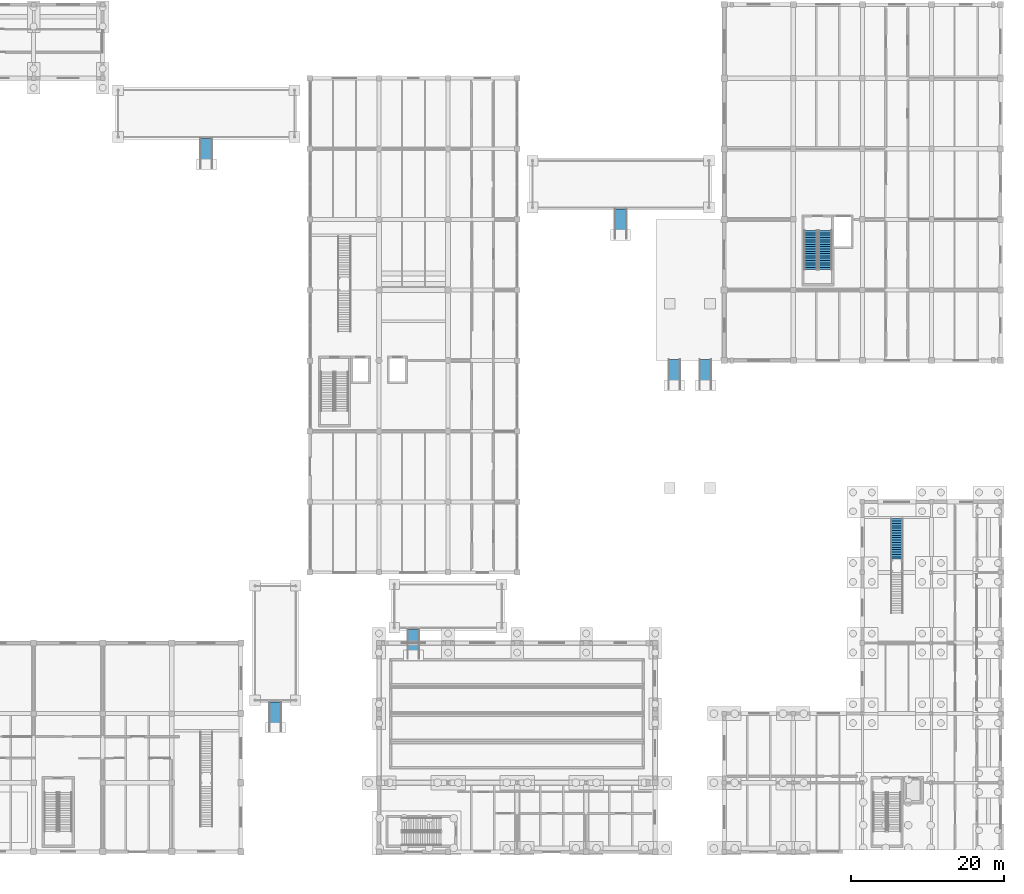
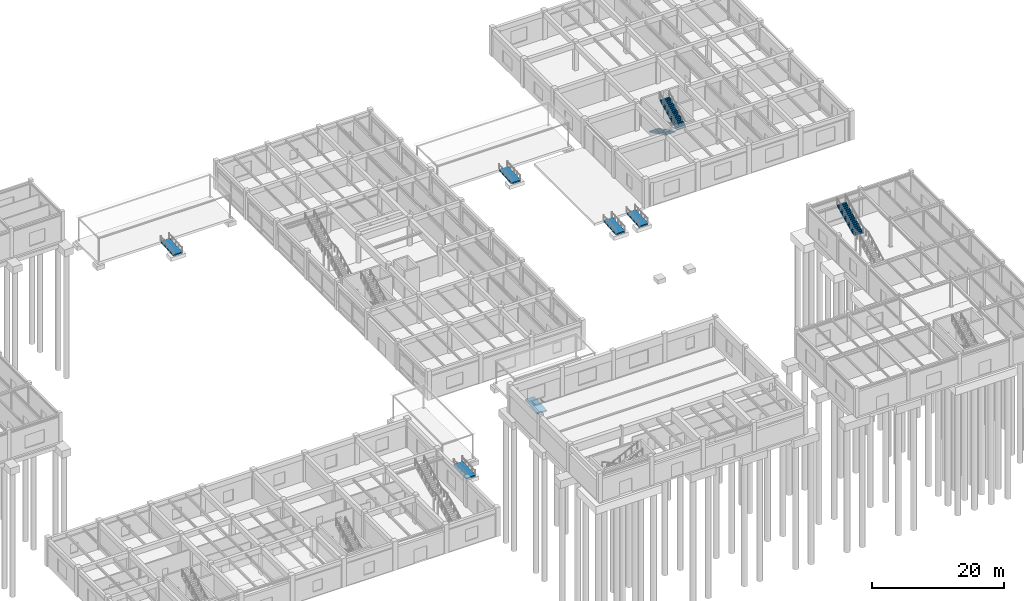
# One storey, part 66 of 76: 6 ramp flights, 3 stair flights, 8 elements without a shape of their own.
"""IFC4 building model written with IfcOpenShell, lengths in metres."""

import ifcopenshell
import ifcopenshell.guid

model = None  # the IFC model being written
_history = None  # IfcOwnerHistory: only IFC2X3 demands one
_inside = {}  # id of a spatial element -> (the spatial element, [elements in it])
_under = {}  # id of a project, library or spatial element -> (it, [spatial elements below it])
_declared = {}  # id of a project -> (the project, [libraries it declares])
_typed = {}  # id of a type object -> (the type object, [elements of that type])
_made_of = {}  # id of a material, layer set ... -> (it, [elements and type objects made of it])


def new_model(schema):
    """Start an empty IFC model of exactly this schema.

    Asked for "IFC4X3", IfcOpenShell would pick the latest addendum, in which some entities
    have other attributes; the version numbers below select the first issue.
    IFC2X3 requires an IfcOwnerHistory on every rooted entity: one is made here for all.
    """
    global model, _history
    if schema == "IFC4X3":
        model = ifcopenshell.file(schema_version=(4, 3, 0, 0))
    else:
        model = ifcopenshell.file(schema=schema)
    _inside.clear()
    _under.clear()
    _declared.clear()
    _typed.clear()
    _made_of.clear()
    _history = None
    if model.schema == "IFC2X3":
        org = make("IfcOrganization", Name="unknown")
        user = make(
            "IfcPersonAndOrganization",
            ThePerson=make("IfcPerson", FamilyName="unknown"),
            TheOrganization=org,
        )
        app = make(
            "IfcApplication",
            ApplicationDeveloper=org,
            Version="unknown",
            ApplicationFullName="unknown",
            ApplicationIdentifier="unknown",
        )
        _history = make(
            "IfcOwnerHistory",
            OwningUser=user,
            OwningApplication=app,
            ChangeAction="ADDED",
            CreationDate=0,
        )
    return model


def make(cls, **values):
    """One entity of the class cls with the attributes given. An attribute that is None is left unset."""
    return model.create_entity(
        cls, **{name: value for name, value in values.items() if value is not None}
    )


def rooted(cls, **values):
    """An entity with a GlobalId (a new one), such as an element, a storey or a relation."""
    return make(cls, GlobalId=ifcopenshell.guid.new(), OwnerHistory=_history, **values)


def si_unit(unit_type, name, prefix=None):
    """IfcSIUnit, for example si_unit("LENGTHUNIT", "METRE", prefix="MILLI")."""
    return make("IfcSIUnit", UnitType=unit_type, Prefix=prefix, Name=name)


def assignment(units):
    """IfcUnitAssignment: the units of a project."""
    return None if units is None else make("IfcUnitAssignment", Units=units)


def point(xyz):
    """IfcCartesianPoint."""
    return None if xyz is None else make("IfcCartesianPoint", Coordinates=xyz)


def direction(xyz):
    """IfcDirection."""
    return None if xyz is None else make("IfcDirection", DirectionRatios=xyz)


def frame(location, z_axis=None, x_axis=None):
    """IfcAxis2Placement3D, a coordinate frame: its origin and axes. An axis left out is left unset."""
    return make(
        "IfcAxis2Placement3D",
        Location=point(location),
        Axis=direction(z_axis),
        RefDirection=direction(x_axis),
    )


def origin():
    """The frame at (0, 0, 0) with its axes left unset."""
    return frame((0.0, 0.0, 0.0))


def place(relative_to, where):
    """IfcLocalPlacement: puts the frame where relative to a parent placement (None: the world)."""
    return make(
        "IfcLocalPlacement", PlacementRelTo=relative_to, RelativePlacement=where
    )


def context(
    kind, dimensions, precision=None, world=None, true_north=None, identifier=None
):
    """IfcGeometricRepresentationContext, for example the 3D "Model" context."""
    return make(
        "IfcGeometricRepresentationContext",
        ContextIdentifier=identifier,
        ContextType=kind,
        CoordinateSpaceDimension=dimensions,
        Precision=precision,
        WorldCoordinateSystem=world,
        TrueNorth=true_north,
    )


def subcontext(parent, identifier, kind, view, scale=None):
    """IfcGeometricRepresentationSubContext, for example "Body" below "Model"."""
    return make(
        "IfcGeometricRepresentationSubContext",
        ContextIdentifier=identifier,
        ContextType=kind,
        ParentContext=parent,
        TargetScale=scale,
        TargetView=view,
    )


def project(units=None, contexts=None):
    """IfcProject with its units and contexts."""
    return rooted(
        "IfcProject",
        Name="project",
        RepresentationContexts=contexts,
        UnitsInContext=assignment(units),
    )


def spatial(cls, under=None, at=None, **own):
    """A site, building, storey or space (cls), placed at a placement, below another one or the project."""
    s = rooted(cls, ObjectPlacement=at, **own)
    if under is not None:
        _under.setdefault(under.id(), (under, []))[1].append(s)
    return s


def polyline(points):
    """IfcPolyline through the points."""
    return make("IfcPolyline", Points=[point(p) for p in points])


def outline(outer, holes=None, kind="AREA"):
    """IfcArbitraryClosedProfileDef: a profile drawn as a closed curve; with holes, ...WithVoids."""
    if holes is None:
        return make("IfcArbitraryClosedProfileDef", ProfileType=kind, OuterCurve=outer)
    return make(
        "IfcArbitraryProfileDefWithVoids",
        ProfileType=kind,
        OuterCurve=outer,
        InnerCurves=holes,
    )


def extrude(swept, where, along, depth):
    """IfcExtrudedAreaSolid: the profile swept, set in the frame where, extruded along a direction by depth."""
    return make(
        "IfcExtrudedAreaSolid",
        SweptArea=swept,
        Position=where,
        ExtrudedDirection=direction(along),
        Depth=depth,
    )


def shape(context_of_items, identifier, shape_type, items):
    """IfcShapeRepresentation: the items that make up one representation, for example the "Body"."""
    return make(
        "IfcShapeRepresentation",
        ContextOfItems=context_of_items,
        RepresentationIdentifier=identifier,
        RepresentationType=shape_type,
        Items=items,
    )


def material(Name=None, Category=None):
    """IfcMaterial."""
    return make("IfcMaterial", Name=Name, Category=Category)


def layer(
    of_material, thickness, ventilated=None, Name=None, Category=None, Priority=None
):
    """IfcMaterialLayer: one layer of a wall or slab, of a material (None: an air gap)."""
    return make(
        "IfcMaterialLayer",
        Material=of_material,
        LayerThickness=thickness,
        IsVentilated=ventilated,
        Name=Name,
        Category=Category,
        Priority=Priority,
    )


def layer_set(layers, Name=None):
    """IfcMaterialLayerSet."""
    return make("IfcMaterialLayerSet", MaterialLayers=layers, LayerSetName=Name)


def made_of(thing, what):
    """Note that an element or type object is made of a material, layer set ...; save() writes the relation."""
    if what is not None:
        _made_of.setdefault(what.id(), (what, []))[1].append(thing)
    return thing


def type_object(cls, material=None, **own):
    """A type object (cls), such as IfcWallType, which elements share."""
    return made_of(rooted(cls, **own), material)


def element(
    cls,
    number,
    at=None,
    inside=None,
    cuts=None,
    type_object=None,
    material=None,
    context=None,
    identifier="Body",
    shape_type=None,
    held_by="IfcProductDefinitionShape",
    body=None,
    shapes=None,
    **own,
):
    """One element of the class cls, such as IfcWall. Its Tag is "e" and its number.

    at: its placement. inside: the storey or other place that contains it. cuts: it is an
    opening in that element (IfcRelVoidsElement). A single representation is given by context,
    identifier, shape_type and body (its items); several are given by shapes. held_by: the class
    of the entity that holds the representations. save() writes the other relations.
    """
    e = rooted(cls, Tag="e%d" % number, ObjectPlacement=at, **own)
    if body is not None:
        shapes = [shape(context, identifier, shape_type, body)]
    if shapes is not None:
        e.Representation = make(held_by, Representations=shapes)
    if inside is not None:
        _inside.setdefault(inside.id(), (inside, []))[1].append(e)
    if cuts is not None:
        rooted(
            "IfcRelVoidsElement", RelatingBuildingElement=cuts, RelatedOpeningElement=e
        )
    if type_object is not None:
        _typed.setdefault(type_object.id(), (type_object, []))[1].append(e)
    return made_of(e, material)


def aggregate(whole, parts):
    """IfcRelAggregates: a whole, such as a stair, and the parts it consists of."""
    return rooted("IfcRelAggregates", RelatingObject=whole, RelatedObjects=parts)


def save(model, path):
    """Write the relations noted so far, then the file.

    IfcRelAggregates (storeys below a building ...), IfcRelContainedInSpatialStructure (elements
    in a storey), IfcRelDefinesByType, IfcRelAssociatesMaterial and IfcRelDeclares: one each for
    every whole, place, type object, material and project.
    """
    for whole, parts in _under.values():
        aggregate(whole, parts)
    for where, things in _inside.values():
        rooted(
            "IfcRelContainedInSpatialStructure",
            RelatedElements=things,
            RelatingStructure=where,
        )
    for kind, things in _typed.values():
        rooted("IfcRelDefinesByType", RelatedObjects=things, RelatingType=kind)
    for what, things in _made_of.values():
        rooted("IfcRelAssociatesMaterial", RelatedObjects=things, RelatingMaterial=what)
    for by, libraries in _declared.values():
        rooted("IfcRelDeclares", RelatingContext=by, RelatedDefinitions=libraries)
    model.write(path)


model = new_model("IFC4")

# Units and contexts
model_context = context("Model", 3, precision=1e-05, world=origin(), true_north=direction((0.0, 1.0)))
body_context = subcontext(model_context, "Body", "Model", "MODEL_VIEW")
ifc_project = project(units=[si_unit("LENGTHUNIT", "METRE"), si_unit("AREAUNIT", "SQUARE_METRE"), si_unit("VOLUMEUNIT", "CUBIC_METRE"), si_unit("PLANEANGLEUNIT", "RADIAN"), si_unit("MASSUNIT", "GRAM", prefix="KILO")], contexts=[model_context])

# Site, building, storey
site_placement = place(None, origin())
site = spatial("IfcSite", under=ifc_project, at=site_placement, CompositionType="ELEMENT")
building_placement = place(site_placement, origin())
building = spatial("IfcBuilding", under=site, at=building_placement, Name="Bozkorgan Art Gallery", CompositionType="ELEMENT")
storey_placement = place(building_placement, origin())
storey = spatial("IfcBuildingStorey", under=building, at=storey_placement, Name="L00", CompositionType="ELEMENT", Elevation=0.0)

# Stair, stair flight
ifc_material_1 = material(Name="Steel S355J2", Category="steel")
stair_type_1 = type_object("IfcStairType", Name="FSTAIR-ST11", PredefinedType="STRAIGHT_RUN_STAIR", material=ifc_material_1)
stair_1_placement = place(storey_placement, origin())
stair_1 = element("IfcStair", 1, at=stair_1_placement, inside=storey, type_object=stair_type_1, Name="ST11 Feature Stair (L00 to L01)", PredefinedType="STRAIGHT_RUN_STAIR")
stair_flight_type_1 = type_object("IfcStairFlightType", Name="FSFLT-ST11", PredefinedType="STRAIGHT", material=ifc_material_1)
stair_flight_1_placement = place(storey_placement, frame((150.5, 40.1298828125, 2.699951171875), z_axis=(0.0, 0.0, 1.0), x_axis=(0.0, 1.0, 0.0)))
stair_flight_1 = element("IfcStairFlight", 2, at=stair_flight_1_placement, type_object=stair_flight_type_1, Name="ST11 upper monumental stair flight", NumberOfRisers=18, NumberOfTreads=17, PredefinedType="STRAIGHT", RiserHeight=0.15, TreadLength=0.31, context=body_context, shape_type="SweptSolid", body=[
    extrude(outline(polyline([(0.0, 0.0), (0.0, 0.14990234375), (0.31005859375, 0.14990234375), (0.31005859375, 0.300048828125), (0.6201171875, 0.300048828125), (0.6201171875, 0.449951171875), (0.929931640625, 0.449951171875), (0.929931640625, 0.60009765625), (1.239990234375, 0.60009765625), (1.239990234375, 0.75), (1.550048828125, 0.75), (1.550048828125, 0.89990234375), (1.860107421875, 0.89990234375), (1.860107421875, 1.050048828125), (2.169921875, 1.050048828125), (2.169921875, 1.199951171875), (2.47998046875, 1.199951171875), (2.47998046875, 1.35009765625), (2.7900390625, 1.35009765625), (2.7900390625, 1.5), (3.10009765625, 1.5), (3.10009765625, 1.64990234375), (3.409912109375, 1.64990234375), (3.409912109375, 1.800048828125), (3.719970703125, 1.800048828125), (3.719970703125, 1.949951171875), (4.030029296875, 1.949951171875), (4.030029296875, 2.10009765625), (4.340087890625, 2.10009765625), (4.340087890625, 2.25), (4.64990234375, 2.25), (4.64990234375, 2.39990234375), (4.9599609375, 2.39990234375), (4.9599609375, 2.550048828125), (5.27001953125, 2.550048828125), (5.27001953125, 2.699951171875), (5.27001953125, 2.3056640625), (0.505126953125, 0.0), (0.0, 0.0)])), frame((0.0, 0.7900390625, 0.0), z_axis=(0.0, -1.0, 0.0), x_axis=(1.0, 0.0, 0.0)), (0.0, 0.0, 1.0), 1.580078125),
])
aggregate(stair_1, [stair_flight_1])

# Stair, stair flights
ifc_material_2 = material(Name="Concrete C35/45", Category="concrete")
stair_type_2 = type_object("IfcStairType", Name="STAIR-CORE3", PredefinedType="HALF_TURN_STAIR", material=ifc_material_2)
stair_2_placement = place(storey_placement, origin())
stair_2 = element("IfcStair", 3, at=stair_2_placement, inside=storey, type_object=stair_type_2, Name="L00 ST3 Core Stair", PredefinedType="HALF_TURN_STAIR")
stair_flight_type_2 = type_object("IfcStairFlightType", Name="SFLT-CORE3", PredefinedType="STRAIGHT", material=ifc_material_2)
stair_flight_2_placement = place(storey_placement, frame((139.25, 82.949951171875, 0.0), z_axis=(0.0, 0.0, 1.0), x_axis=(0.0, -1.0, 0.0)))
stair_flight_2 = element("IfcStairFlight", 4, at=stair_flight_2_placement, type_object=stair_flight_type_2, Name="ST3 flight 1", NumberOfRisers=18, NumberOfTreads=17, PredefinedType="STRAIGHT", RiserHeight=0.15, TreadLength=0.3, context=body_context, shape_type="SweptSolid", body=[
    extrude(outline(polyline([(0.0, 0.0), (0.0, 0.14990234375), (0.300048828125, 0.14990234375), (0.300048828125, 0.300048828125), (0.60009765625, 0.300048828125), (0.60009765625, 0.449951171875), (0.89990234375, 0.449951171875), (0.89990234375, 0.60009765625), (1.199951171875, 0.60009765625), (1.199951171875, 0.75), (1.5, 0.75), (1.5, 0.89990234375), (1.800048828125, 0.89990234375), (1.800048828125, 1.050048828125), (2.10009765625, 1.050048828125), (2.10009765625, 1.199951171875), (2.39990234375, 1.199951171875), (2.39990234375, 1.35009765625), (2.699951171875, 1.35009765625), (2.699951171875, 1.5), (3.0, 1.5), (3.0, 1.64990234375), (3.300048828125, 1.64990234375), (3.300048828125, 1.800048828125), (3.60009765625, 1.800048828125), (3.60009765625, 1.949951171875), (3.89990234375, 1.949951171875), (3.89990234375, 2.10009765625), (4.199951171875, 2.10009765625), (4.199951171875, 2.25), (4.5, 2.25), (4.5, 2.39990234375), (4.800048828125, 2.39990234375), (4.800048828125, 2.550048828125), (5.10009765625, 2.550048828125), (5.10009765625, 2.699951171875), (5.10009765625, 2.38232421875), (0.335205078125, 0.0), (0.0, 0.0)])), frame((0.0, 0.85009765625, 0.0), z_axis=(0.0, -1.0, 0.0), x_axis=(1.0, 0.0, 0.0)), (0.0, 0.0, 1.0), 1.699951171875),
])
stair_flight_3_placement = place(storey_placement, frame((141.14990234375, 77.85009765625, 2.699951171875), z_axis=(0.0, 0.0, 1.0), x_axis=(0.0, 1.0, 0.0)))
stair_flight_3 = element("IfcStairFlight", 5, at=stair_flight_3_placement, type_object=stair_flight_type_2, Name="ST3 flight 2", NumberOfRisers=18, NumberOfTreads=17, PredefinedType="STRAIGHT", RiserHeight=0.15, TreadLength=0.3, context=body_context, shape_type="SweptSolid", body=[
    extrude(outline(polyline([(0.0, 0.0), (0.0, 0.14990234375), (0.300048828125, 0.14990234375), (0.300048828125, 0.300048828125), (0.60009765625, 0.300048828125), (0.60009765625, 0.449951171875), (0.89990234375, 0.449951171875), (0.89990234375, 0.60009765625), (1.199951171875, 0.60009765625), (1.199951171875, 0.75), (1.5, 0.75), (1.5, 0.89990234375), (1.800048828125, 0.89990234375), (1.800048828125, 1.050048828125), (2.10009765625, 1.050048828125), (2.10009765625, 1.199951171875), (2.39990234375, 1.199951171875), (2.39990234375, 1.35009765625), (2.699951171875, 1.35009765625), (2.699951171875, 1.5), (3.0, 1.5), (3.0, 1.64990234375), (3.300048828125, 1.64990234375), (3.300048828125, 1.800048828125), (3.60009765625, 1.800048828125), (3.60009765625, 1.949951171875), (3.89990234375, 1.949951171875), (3.89990234375, 2.10009765625), (4.199951171875, 2.10009765625), (4.199951171875, 2.25), (4.5, 2.25), (4.5, 2.39990234375), (4.800048828125, 2.39990234375), (4.800048828125, 2.550048828125), (5.10009765625, 2.550048828125), (5.10009765625, 2.699951171875), (5.10009765625, 2.38232421875), (0.335205078125, 0.0), (0.0, 0.0)])), frame((0.0, 0.85009765625, 0.0), z_axis=(0.0, -1.0, 0.0), x_axis=(1.0, 0.0, 0.0)), (0.0, 0.0, 1.0), 1.699951171875),
])
aggregate(stair_2, [stair_flight_2, stair_flight_3])

# Ramp, ramp flight
ifc_material_3 = material(Name="Concrete C40/50", Category="concrete")
ramp_type = type_object("IfcRampType", Name="RAMP-ACC-01", PredefinedType="STRAIGHT_RUN_RAMP", material=ifc_material_3)
ramp_1_placement = place(storey_placement, origin())
ramp_1 = element("IfcRamp", 6, at=ramp_1_placement, inside=storey, type_object=ramp_type, Name="West Water-Court Walk Accessible Ramp", PredefinedType="STRAIGHT_RUN_RAMP")
ifc_layer = layer(ifc_material_3, 0.25, Name="Concrete C40/50")
ifc_layer_set = layer_set([ifc_layer], Name="Concrete C40/50")
ramp_flight_type = type_object("IfcRampFlightType", Name="RFLT-ACC-01", PredefinedType="STRAIGHT", material=ifc_layer_set)
ramp_flight_1_placement = place(storey_placement, frame((69.5, 17.699951171875, -0.239990234375), z_axis=(0.0, 0.0, 1.0), x_axis=(0.0, 1.0, 0.0)))
ramp_flight_1 = element("IfcRampFlight", 7, at=ramp_flight_1_placement, type_object=ramp_flight_type, Name="West Water-Court Walk Accessible Ramp flight", PredefinedType="STRAIGHT", context=body_context, shape_type="SweptSolid", body=[
    extrude(outline(polyline([(0.0, 0.0), (3.840087890625, 0.239990234375), (3.840087890625, -0.010009765625), (0.0, -0.25), (0.0, 0.0)])), frame((0.0, 0.800048828125, 0.0), z_axis=(0.0, -1.0, 0.0), x_axis=(1.0, 0.0, 0.0)), (0.0, 0.0, 1.0), 1.60009765625),
])
aggregate(ramp_1, [ramp_flight_1])

ramp_2_placement = place(storey_placement, origin())
ramp_2 = element("IfcRamp", 8, at=ramp_2_placement, inside=storey, type_object=ramp_type, Name="North Sculpture Walk Accessible Ramp", PredefinedType="STRAIGHT_RUN_RAMP")
ramp_flight_2_placement = place(storey_placement, frame((60.5, 91.10009765625, -0.239990234375), z_axis=(0.0, 0.0, 1.0), x_axis=(0.0, 1.0, 0.0)))
ramp_flight_2 = element("IfcRampFlight", 9, at=ramp_flight_2_placement, type_object=ramp_flight_type, Name="North Sculpture Walk Accessible Ramp flight", PredefinedType="STRAIGHT", context=body_context, shape_type="SweptSolid", body=[
    extrude(outline(polyline([(0.0, 0.0), (3.840087890625, 0.239990234375), (3.840087890625, -0.010009765625), (0.0, -0.25), (0.0, 0.0)])), frame((0.0, 0.800048828125, 0.0), z_axis=(0.0, -1.0, 0.0), x_axis=(1.0, 0.0, 0.0)), (0.0, 0.0, 1.0), 1.60009765625),
])
aggregate(ramp_2, [ramp_flight_2])

ramp_3_placement = place(storey_placement, origin())
ramp_3 = element("IfcRamp", 10, at=ramp_3_placement, inside=storey, type_object=ramp_type, Name="Auditorium Walk Accessible Ramp", PredefinedType="STRAIGHT_RUN_RAMP")
ramp_flight_3_placement = place(storey_placement, frame((87.5, 27.14990234375, -0.239990234375), z_axis=(0.0, 0.0, 1.0), x_axis=(0.0, 1.0, 0.0)))
ramp_flight_3 = element("IfcRampFlight", 11, at=ramp_flight_3_placement, type_object=ramp_flight_type, Name="Auditorium Walk Accessible Ramp flight", PredefinedType="STRAIGHT", context=body_context, shape_type="SweptSolid", body=[
    extrude(outline(polyline([(0.0, 0.0), (3.840087890625, 0.239990234375), (3.840087890625, -0.010009765625), (0.0, -0.25), (0.0, 0.0)])), frame((0.0, 0.800048828125, 0.0), z_axis=(0.0, -1.0, 0.0), x_axis=(1.0, 0.0, 0.0)), (0.0, 0.0, 1.0), 1.60009765625),
])
aggregate(ramp_3, [ramp_flight_3])

ramp_4_placement = place(storey_placement, origin())
ramp_4 = element("IfcRamp", 12, at=ramp_4_placement, inside=storey, type_object=ramp_type, Name="East Water-Court Walk Accessible Ramp", PredefinedType="STRAIGHT_RUN_RAMP")
ramp_flight_4_placement = place(storey_placement, frame((114.5, 81.89990234375, -0.239990234375), z_axis=(0.0, 0.0, 1.0), x_axis=(0.0, 1.0, 0.0)))
ramp_flight_4 = element("IfcRampFlight", 13, at=ramp_flight_4_placement, type_object=ramp_flight_type, Name="East Water-Court Walk Accessible Ramp flight", PredefinedType="STRAIGHT", context=body_context, shape_type="SweptSolid", body=[
    extrude(outline(polyline([(0.0, 0.0), (3.840087890625, 0.239990234375), (3.840087890625, -0.010009765625), (0.0, -0.25), (0.0, 0.0)])), frame((0.0, 0.800048828125, 0.0), z_axis=(0.0, -1.0, 0.0), x_axis=(1.0, 0.0, 0.0)), (0.0, 0.0, 1.0), 1.60009765625),
])
aggregate(ramp_4, [ramp_flight_4])

ramp_5_placement = place(storey_placement, origin())
ramp_5 = element("IfcRamp", 14, at=ramp_5_placement, inside=storey, type_object=ramp_type, Name="North Plinth Step-Free Pedestrian Ramp W", PredefinedType="STRAIGHT_RUN_RAMP")
ramp_flight_5_placement = place(storey_placement, frame((121.5, 62.300048828125, -0.239990234375), z_axis=(0.0, 0.0, 1.0), x_axis=(0.0, 1.0, 0.0)))
ramp_flight_5 = element("IfcRampFlight", 15, at=ramp_flight_5_placement, type_object=ramp_flight_type, Name="North Plinth Step-Free Pedestrian Ramp W flight", PredefinedType="STRAIGHT", context=body_context, shape_type="SweptSolid", body=[
    extrude(outline(polyline([(0.0, 0.0), (3.840087890625, 0.239990234375), (3.840087890625, -0.010009765625), (0.0, -0.25), (0.0, 0.0)])), frame((0.0, 0.800048828125, 0.0), z_axis=(0.0, -1.0, 0.0), x_axis=(1.0, 0.0, 0.0)), (0.0, 0.0, 1.0), 1.60009765625),
])
aggregate(ramp_5, [ramp_flight_5])

ramp_6_placement = place(storey_placement, origin())
ramp_6 = element("IfcRamp", 16, at=ramp_6_placement, inside=storey, type_object=ramp_type, Name="North Plinth Step-Free Pedestrian Ramp E", PredefinedType="STRAIGHT_RUN_RAMP")
ramp_flight_6_placement = place(storey_placement, frame((125.550048828125, 62.300048828125, -0.239990234375), z_axis=(0.0, 0.0, 1.0), x_axis=(0.0, 1.0, 0.0)))
ramp_flight_6 = element("IfcRampFlight", 17, at=ramp_flight_6_placement, type_object=ramp_flight_type, Name="North Plinth Step-Free Pedestrian Ramp E flight", PredefinedType="STRAIGHT", context=body_context, shape_type="SweptSolid", body=[
    extrude(outline(polyline([(0.0, 0.0), (3.840087890625, 0.239990234375), (3.840087890625, -0.010009765625), (0.0, -0.25), (0.0, 0.0)])), frame((0.0, 0.800048828125, 0.0), z_axis=(0.0, -1.0, 0.0), x_axis=(1.0, 0.0, 0.0)), (0.0, 0.0, 1.0), 1.60009765625),
])
aggregate(ramp_6, [ramp_flight_6])

save(model, "model.ifc")
